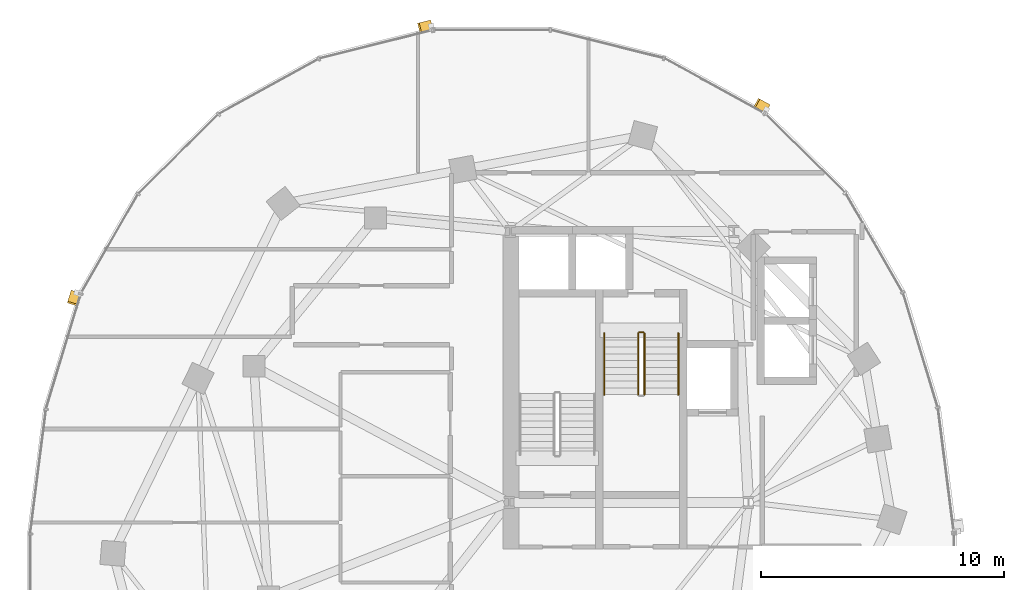
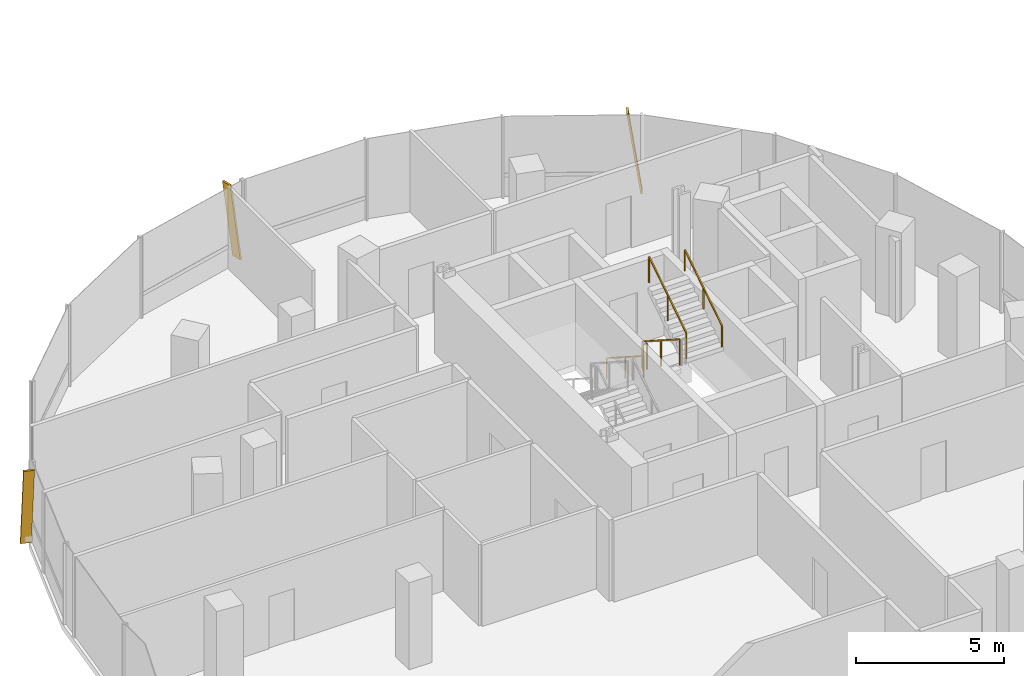
# One storey, part 20 of 22: 5 railings, 3 shading devices.
"""IFC4 building model written with IfcOpenShell, lengths in metres."""

from ifc_helpers import new_model, si_unit, direction, frame, origin, origin_2d, place, context, subcontext, project, spatial, rectangle, extrude, material, material_profile, profile_set, type_object, element, save


model = new_model("IFC4")

# Units and contexts
model_context = context("Model", 3, precision=1e-05, world=origin(), true_north=direction((0.0, 1.0)))
body_context = subcontext(model_context, "Body", "Model", "MODEL_VIEW")
ifc_project = project(units=[si_unit("LENGTHUNIT", "METRE"), si_unit("AREAUNIT", "SQUARE_METRE"), si_unit("VOLUMEUNIT", "CUBIC_METRE"), si_unit("PLANEANGLEUNIT", "RADIAN"), si_unit("MASSUNIT", "GRAM", prefix="KILO"), si_unit("THERMODYNAMICTEMPERATUREUNIT", "KELVIN"), si_unit("POWERUNIT", "WATT")], contexts=[model_context])

# Site, building, storey
site_placement = place(None, origin())
site = spatial("IfcSite", under=ifc_project, at=site_placement, CompositionType="ELEMENT")
building_placement = place(site_placement, origin())
building = spatial("IfcBuilding", under=site, at=building_placement, Name="Cundina Bronze Exchange", CompositionType="ELEMENT")
storey_placement = place(building_placement, frame((0.0, 0.0, 151.199951171875)))
storey = spatial("IfcBuildingStorey", under=building, at=storey_placement, Name="L39", CompositionType="ELEMENT", Elevation=151.199951171875)

# Railings
ifc_material_1 = material(Name="Steel ASTM A36 Painted", Category="steel")
railing_type_1 = type_object("IfcRailingType", Name="RLG-HND-900", PredefinedType="HANDRAIL", material=ifc_material_1)
railing_1_placement = place(storey_placement, frame((-27.389892578125, 10.85009765625, 0.179931640625)))
element("IfcRailing", 1, at=railing_1_placement, inside=storey, type_object=railing_type_1, Name="L39 ST-W2 stair handrail 1", PredefinedType="HANDRAIL", context=body_context, shape_type="SweptSolid", body=[
    extrude(rectangle(XDim=0.048095703125, YDim=0.048095703125, at=origin_2d()), frame((0.0, 0.0, 0.8759765625), z_axis=(0.0, -0.841162588446, 0.540782303519), x_axis=(1.0, 0.0, 0.0)), (0.0, 0.0, 1.0), 2.995849609375),
    extrude(rectangle(XDim=0.0419921875, YDim=0.0419921875, at=origin_2d()), origin(), (0.0, 0.0, 1.0), 0.851806640625),
    extrude(rectangle(XDim=0.0419921875, YDim=0.0419921875, at=origin_2d()), frame((0.0, -1.260009765625, 0.81005859375)), (0.0, 0.0, 1.0), 0.851806640625),
    extrude(rectangle(XDim=0.0419921875, YDim=0.0419921875, at=origin_2d()), frame((0.0, -2.52001953125, 1.6201171875)), (0.0, 0.0, 1.0), 0.851806640625),
])
railing_2_placement = place(storey_placement, frame((-24.330078125, 8.330078125, 1.97998046875)))
element("IfcRailing", 2, at=railing_2_placement, inside=storey, type_object=railing_type_1, Name="L39 ST-W2 stair handrail 2", PredefinedType="HANDRAIL", context=body_context, shape_type="SweptSolid", body=[
    extrude(rectangle(XDim=0.048095703125, YDim=0.048095703125, at=origin_2d()), frame((0.0, 0.0, 0.8759765625), z_axis=(0.0, 0.841162588446, 0.540782303519), x_axis=(-1.0, 0.0, 0.0)), (0.0, 0.0, 1.0), 2.995849609375),
    extrude(rectangle(XDim=0.0419921875, YDim=0.0419921875, at=origin_2d()), origin(), (0.0, 0.0, 1.0), 0.851806640625),
    extrude(rectangle(XDim=0.0419921875, YDim=0.0419921875, at=origin_2d()), frame((0.0, 1.260009765625, 0.81005859375)), (0.0, 0.0, 1.0), 0.851806640625),
    extrude(rectangle(XDim=0.0419921875, YDim=0.0419921875, at=origin_2d()), frame((0.0, 2.52001953125, 1.6201171875)), (0.0, 0.0, 1.0), 0.851806640625),
])
railing_type_2 = type_object("IfcRailingType", Name="RLG-STG-1100", PredefinedType="GUARDRAIL", material=ifc_material_1)
railing_3_placement = place(storey_placement, frame((-25.989990234375, 10.85009765625, 0.179931640625)))
element("IfcRailing", 3, at=railing_3_placement, inside=storey, type_object=railing_type_2, Name="L39 ST-W2 stair guard 1", PredefinedType="GUARDRAIL", context=body_context, shape_type="SweptSolid", body=[
    extrude(rectangle(XDim=0.048095703125, YDim=0.048095703125, at=origin_2d()), frame((0.0, 0.0, 1.076171875), z_axis=(0.0, -0.841162588446, 0.540782303519), x_axis=(1.0, 0.0, 0.0)), (0.0, 0.0, 1.0), 2.995849609375),
    extrude(rectangle(XDim=0.0419921875, YDim=0.0419921875, at=origin_2d()), origin(), (0.0, 0.0, 1.0), 1.052001953125),
    extrude(rectangle(XDim=0.0419921875, YDim=0.0419921875, at=origin_2d()), frame((0.0, -1.260009765625, 0.81005859375)), (0.0, 0.0, 1.0), 1.052001953125),
    extrude(rectangle(XDim=0.0419921875, YDim=0.0419921875, at=origin_2d()), frame((0.0, -2.52001953125, 1.6201171875)), (0.0, 0.0, 1.0), 1.052001953125),
])
railing_4_placement = place(storey_placement, frame((-25.72998046875, 8.330078125, 1.97998046875)))
element("IfcRailing", 4, at=railing_4_placement, inside=storey, type_object=railing_type_2, Name="L39 ST-W2 stair guard 3", PredefinedType="GUARDRAIL", context=body_context, shape_type="SweptSolid", body=[
    extrude(rectangle(XDim=0.048095703125, YDim=0.048095703125, at=origin_2d()), frame((0.0, 0.0, 1.076171875), z_axis=(0.0, 0.841162588446, 0.540782303519), x_axis=(-1.0, 0.0, 0.0)), (0.0, 0.0, 1.0), 2.995849609375),
    extrude(rectangle(XDim=0.0419921875, YDim=0.0419921875, at=origin_2d()), origin(), (0.0, 0.0, 1.0), 1.052001953125),
    extrude(rectangle(XDim=0.0419921875, YDim=0.0419921875, at=origin_2d()), frame((0.0, 1.260009765625, 0.81005859375)), (0.0, 0.0, 1.0), 1.052001953125),
    extrude(rectangle(XDim=0.0419921875, YDim=0.0419921875, at=origin_2d()), frame((0.0, 2.52001953125, 1.6201171875)), (0.0, 0.0, 1.0), 1.052001953125),
])
railing_5_placement = place(storey_placement, frame((-25.93994140625, 10.89990234375, 0.0)))
element("IfcRailing", 5, at=railing_5_placement, inside=storey, type_object=railing_type_2, Name="L39 ST-W2 stair guard 4", PredefinedType="GUARDRAIL", context=body_context, shape_type="SweptSolid", body=[
    extrude(rectangle(XDim=0.048095703125, YDim=0.048095703125, at=origin_2d()), frame((0.0, 0.0, 1.076171875), z_axis=(1.0, 0.0, 0.0), x_axis=(0.0, 1.0, 0.0)), (0.0, 0.0, 1.0), 0.159912109375),
    extrude(rectangle(XDim=0.0419921875, YDim=0.0419921875, at=origin_2d()), origin(), (0.0, 0.0, 1.0), 1.052001953125),
    extrude(rectangle(XDim=0.0419921875, YDim=0.0419921875, at=origin_2d()), frame((0.159912109375, 0.0, 0.0)), (0.0, 0.0, 1.0), 1.052001953125),
])

# Shading devices
ifc_material_2 = material(Name="Anodised Bronze Aluminium 6063-T6", Category="aluminium")
ifc_material_profile = material_profile(ifc_material_2, rectangle(XDim=0.070068359375, YDim=0.3798828125, at=origin_2d()), Name="FIN70X380", Category="aluminium")
ifc_profile_set = profile_set([ifc_material_profile], Name="Anodised Bronze Aluminium 6063-T6")
shading_device_type = type_object("IfcShadingDeviceType", Name="SHD-FIN-BRZ380", PredefinedType="USERDEFINED", material=ifc_profile_set)
for number, where, z_axis, x_axis, name in (
    (6, (-20.679931640625, 20.11181640625, 0.02001953125), (-0.125324460949, 0.068993954111, 0.989713905017), (0.867011652888, -0.477309551067, 0.143060778049), "L39 Diagonal Bronze Solar Fin 5"),
    (7, (-34.51953125, 23.556396484375, 0.02001953125), (-0.138788401144, -0.034715294885, 0.989713407007), (0.960133415413, 0.240159223467, 0.14306422331), "L39 Diagonal Bronze Solar Fin 1"),
    (8, (-49.151123046875, 12.5439453125, 0.02001953125), (-0.041483395017, -0.136967981441, 0.989706471636), (0.286882504107, 0.947215566191, 0.143112193758), "L39 Diagonal Bronze Solar Fin 5"),
):
    element("IfcShadingDevice", number, at=place(storey_placement, frame(where, z_axis=z_axis, x_axis=x_axis)), inside=storey, type_object=shading_device_type, Name=name, ObjectType="FIN", PredefinedType="USERDEFINED", context=body_context, shape_type="SweptSolid", body=[
        extrude(rectangle(XDim=0.070068359375, YDim=0.3798828125, at=origin_2d()), origin(), (0.0, 0.0, 1.0), 3.3544921875),
    ])

save(model, "model.ifc")
